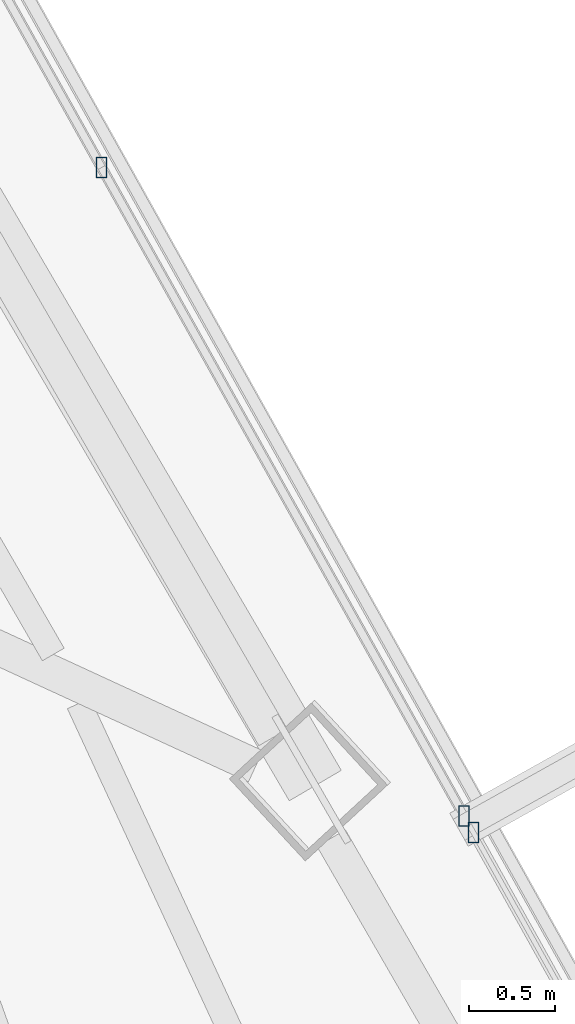
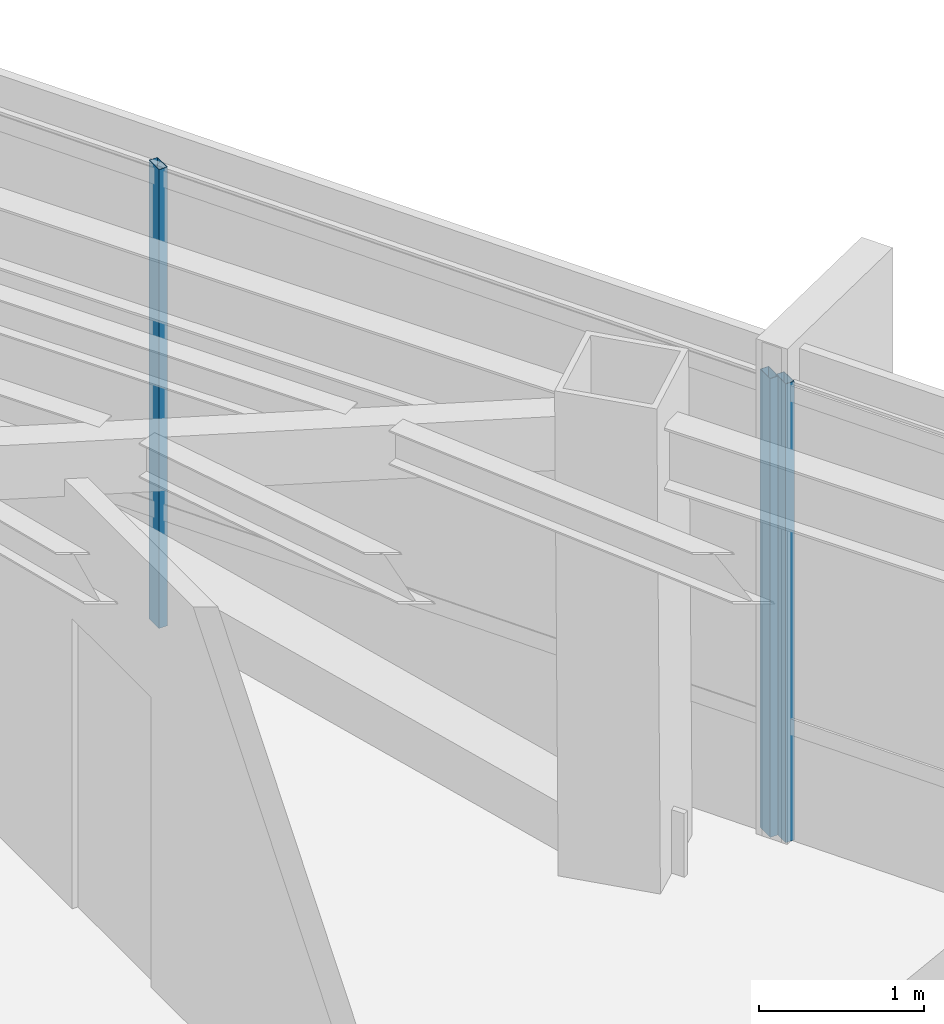
# One storey, part 28 of 46: 3 members, 2 elements without a shape of their own.
"""IFC4 building model written with IfcOpenShell, lengths in metres."""

from ifc_helpers import new_model, si_unit, direction, frame, origin, origin_2d, place, context, subcontext, project, spatial, hollow_rectangle, extrude, source, transform, mapped, material, material_profile, profile_set, type_object, type_shapes, element, aggregate, save


model = new_model("IFC4")

# Units and contexts
model_context = context("Model", 3, precision=1e-05, world=origin(), true_north=direction((0.0, 1.0)))
body_context = subcontext(model_context, "Body", "Model", "MODEL_VIEW")
ifc_project = project(units=[si_unit("LENGTHUNIT", "METRE"), si_unit("AREAUNIT", "SQUARE_METRE"), si_unit("VOLUMEUNIT", "CUBIC_METRE"), si_unit("PLANEANGLEUNIT", "RADIAN"), si_unit("MASSUNIT", "GRAM", prefix="KILO")], contexts=[model_context])

# Site, building, storey
site_placement = place(None, origin())
site = spatial("IfcSite", under=ifc_project, at=site_placement, CompositionType="ELEMENT")
building_placement = place(site_placement, origin())
building = spatial("IfcBuilding", under=site, at=building_placement, Name="Caelisora Broadcast Tower", CompositionType="ELEMENT")
storey_placement = place(building_placement, frame((0.0, 0.0, 251.75)))
storey = spatial("IfcBuildingStorey", under=building, at=storey_placement, Name="L66", CompositionType="ELEMENT", Elevation=251.75)

# Curtain wall, members
ifc_material_1 = material(Name="Unitised Aluminium Insulated Shadow-Box Spandrel Curtain Wall", Category="aluminium")
curtain_wall_type_1 = type_object("IfcCurtainWallType", Name="CW-SP3", PredefinedType="NOTDEFINED", material=ifc_material_1)
curtain_wall_1_placement = place(storey_placement, origin())
curtain_wall_1 = element("IfcCurtainWall", 1, at=curtain_wall_1_placement, inside=storey, type_object=curtain_wall_type_1, Name="L66 curtain wall CW-SP3", PredefinedType="NOTDEFINED")
ifc_material_2 = material(Name="Aluminium 6063-T6 Anodised Terracotta Bronze", Category="aluminium")
ifc_material_profile = material_profile(ifc_material_2, hollow_rectangle(XDim=0.06005859375, YDim=0.1201171875, WallThickness=0.0029296875, at=origin_2d()), Name="Aluminium 6063-T6 Anodised Terracotta Bronze")
ifc_profile_set = profile_set([ifc_material_profile], Name="Aluminium 6063-T6 Anodised Terracotta Bronze")
member_type = type_object("IfcMemberType", Name="CWM-04", PredefinedType="MULLION", material=ifc_profile_set)
shared_shape = source(origin(), body_context, "Body", "SweptSolid", [
    extrude(hollow_rectangle(XDim=0.06005859375, YDim=0.1201171875, WallThickness=0.0029296875, at=origin_2d()), origin(), (0.0, 0.0, 1.0), 3.39990234375),
])
type_shapes(member_type, [shared_shape])
member_1_placement = place(storey_placement, frame((52.50439453125, 29.840087890625, 0.0), z_axis=(0.0, 0.0, 1.0), x_axis=(1.0, 0.0, 0.0)))
member_1 = element("IfcMember", 2, at=member_1_placement, type_object=member_type, Name="L66-CW-B02 mullion #2", PredefinedType="MULLION", context=body_context, shape_type="MappedRepresentation", body=[
    mapped(shared_shape, transform((0.0, 0.0, 0.0), scale=1.0)),
])
member_2_placement = place(storey_placement, frame((54.61181640625, 26.0703125, 0.0), z_axis=(0.0, 0.0, 1.0), x_axis=(1.0, 0.0, 0.0)))
member_2 = element("IfcMember", 3, at=member_2_placement, type_object=member_type, Name="L66-CW-B02 mullion #3", PredefinedType="MULLION", context=body_context, shape_type="MappedRepresentation", body=[
    mapped(shared_shape, transform((0.0, 0.0, 0.0), scale=1.0)),
])
aggregate(curtain_wall_1, [member_1, member_2])

# Curtain wall, member
ifc_material_3 = material(Name="Unitised Aluminium and Low-E Glass Curtain Wall", Category="glass")
curtain_wall_type_2 = type_object("IfcCurtainWallType", Name="CW-Z5", PredefinedType="NOTDEFINED", material=ifc_material_3)
curtain_wall_2_placement = place(storey_placement, origin())
curtain_wall_2 = element("IfcCurtainWall", 4, at=curtain_wall_2_placement, inside=storey, type_object=curtain_wall_type_2, Name="L66 curtain wall CW-Z5", PredefinedType="NOTDEFINED")
member_3_placement = place(storey_placement, frame((54.66552734375, 25.974365234375, 0.0), z_axis=(0.0, 0.0, 1.0), x_axis=(1.0, 0.0, 0.0)))
member_3 = element("IfcMember", 5, at=member_3_placement, type_object=member_type, Name="L66-CW-B03 mullion #0", PredefinedType="MULLION", context=body_context, shape_type="MappedRepresentation", body=[
    mapped(shared_shape, transform((0.0, 0.0, 0.0), scale=1.0)),
])
aggregate(curtain_wall_2, [member_3])

save(model, "model.ifc")
